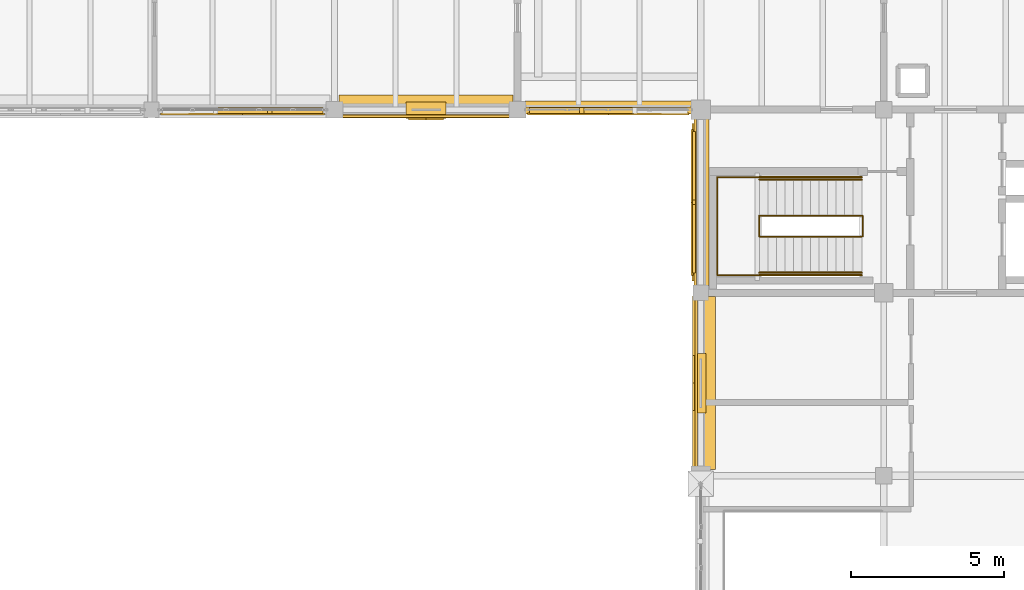
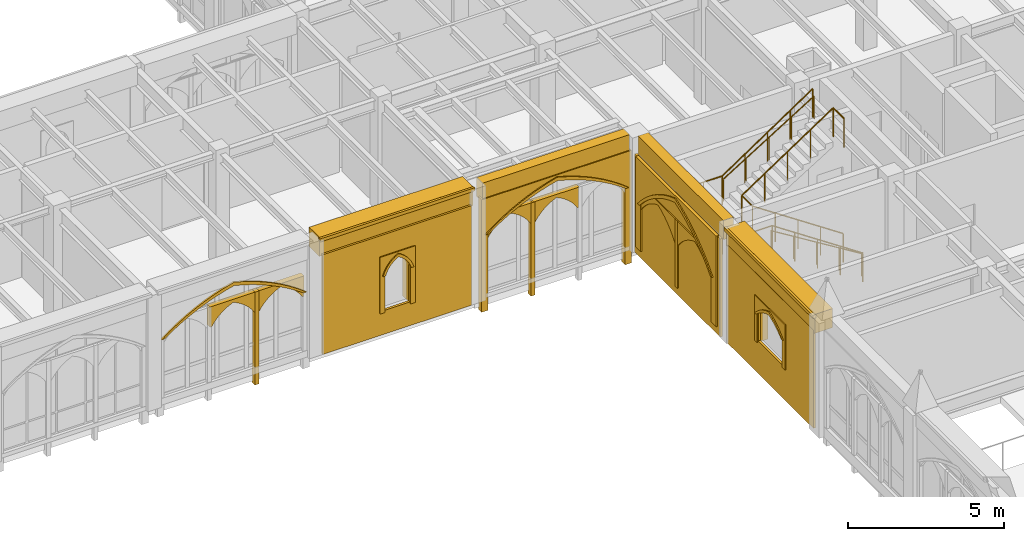
# One storey, part 122 of 143: 27 coverings, 6 railings.
"""IFC4 building model written with IfcOpenShell, lengths in metres."""

from ifc_helpers import new_model, si_unit, direction, frame, origin, origin_2d, place, context, subcontext, project, spatial, polyline, rectangle, circle, outline, extrude, material, type_object, element, save


model = new_model("IFC4")

# Units and contexts
model_context = context("Model", 3, precision=1e-05, world=origin(), true_north=direction((0.0, 1.0)))
body_context = subcontext(model_context, "Body", "Model", "MODEL_VIEW")
ifc_project = project(units=[si_unit("LENGTHUNIT", "METRE"), si_unit("AREAUNIT", "SQUARE_METRE"), si_unit("VOLUMEUNIT", "CUBIC_METRE"), si_unit("PLANEANGLEUNIT", "RADIAN"), si_unit("MASSUNIT", "GRAM", prefix="KILO")], contexts=[model_context])

# Site, building, storey
site_placement = place(None, origin())
site = spatial("IfcSite", under=ifc_project, at=site_placement, CompositionType="ELEMENT")
building_placement = place(site_placement, origin())
building = spatial("IfcBuilding", under=site, at=building_placement, Name="Cumevento Cable Car Station", CompositionType="ELEMENT")
storey_placement = place(building_placement, frame((0.0, 0.0, 9.0)))
storey = spatial("IfcBuildingStorey", under=building, at=storey_placement, Name="L03", CompositionType="ELEMENT", Elevation=9.0)

# Railings
ifc_material_1 = material(Name="Painted Galvanised Architectural Steel", Category="steel")
railing_type_1 = type_object("IfcRailingType", Name="Stair Guardrail GR-S115", PredefinedType="GUARDRAIL", material=ifc_material_1)
railing_1_placement = place(storey_placement, frame((63.280029296875, 40.840087890625, 0.0)))
element("IfcRailing", 1, at=railing_1_placement, inside=storey, type_object=railing_type_1, Name="Stair Well Inner Guardrail ST-01-L03", PredefinedType="GUARDRAIL", context=body_context, shape_type="SweptSolid", body=[
    extrude(circle(Radius=0.02392578125, at=origin_2d()), frame((0.0, 0.0, 1.1259765625), z_axis=(-0.830915400975, 0.0, 0.556398774641), x_axis=(0.0, -1.0, 0.0)), (0.0, 0.0, 1.0), 4.0439453125),
    extrude(circle(Radius=0.02392578125, at=origin_2d()), frame((-3.360107421875, 0.0, 3.3759765625), z_axis=(0.0, 1.0, 0.0), x_axis=(-1.0, 0.0, 0.0)), (0.0, 0.0, 1.0), 0.68994140625),
    extrude(circle(Radius=0.02392578125, at=origin_2d()), frame((-3.360107421875, 0.68994140625, 3.3759765625), z_axis=(0.833193183746, 0.0, 0.552982023722), x_axis=(0.0, 1.0, 0.0)), (0.0, 0.0, 1.0), 4.06884765625),
    extrude(circle(Radius=0.02392578125, at=origin_2d()), frame((0.030029296875, 0.68994140625, 5.6259765625), z_axis=(0.0, -1.0, 0.0), x_axis=(1.0, 0.0, 0.0)), (0.0, 0.0, 1.0), 0.68994140625),
    extrude(circle(Radius=0.02001953125, at=origin_2d()), origin(), (0.0, 0.0, 1.0), 1.101806640625),
    extrude(circle(Radius=0.02001953125, at=origin_2d()), frame((-0.840087890625, 0.0, 0.5625)), (0.0, 0.0, 1.0), 1.101806640625),
    extrude(circle(Radius=0.02001953125, at=origin_2d()), frame((-1.68017578125, 0.0, 1.125)), (0.0, 0.0, 1.0), 1.101806640625),
    extrude(circle(Radius=0.02001953125, at=origin_2d()), frame((-2.52001953125, 0.0, 1.6875)), (0.0, 0.0, 1.0), 1.101806640625),
    extrude(circle(Radius=0.02001953125, at=origin_2d()), frame((-3.360107421875, 0.0, 2.25)), (0.0, 0.0, 1.0), 1.101806640625),
    extrude(circle(Radius=0.02001953125, at=origin_2d()), frame((-3.360107421875, 0.68994140625, 2.25)), (0.0, 0.0, 1.0), 1.101806640625),
    extrude(circle(Radius=0.02001953125, at=origin_2d()), frame((-2.5126953125, 0.68994140625, 2.8125)), (0.0, 0.0, 1.0), 1.101806640625),
    extrude(circle(Radius=0.02001953125, at=origin_2d()), frame((-1.6650390625, 0.68994140625, 3.375)), (0.0, 0.0, 1.0), 1.101806640625),
    extrude(circle(Radius=0.02001953125, at=origin_2d()), frame((-0.8173828125, 0.68994140625, 3.9375)), (0.0, 0.0, 1.0), 1.101806640625),
    extrude(circle(Radius=0.02001953125, at=origin_2d()), frame((0.030029296875, 0.68994140625, 4.5)), (0.0, 0.0, 1.0), 1.101806640625),
    extrude(circle(Radius=0.02001953125, at=origin_2d()), frame((0.030029296875, 0.0, 4.5)), (0.0, 0.0, 1.0), 1.101806640625),
])
railing_2_placement = place(storey_placement, frame((59.919921875, 39.580078125, 2.25)))
element("IfcRailing", 2, at=railing_2_placement, inside=storey, type_object=railing_type_1, Name="Stair Half-Landing Guardrail ST-01-L03", PredefinedType="GUARDRAIL", context=body_context, shape_type="SweptSolid", body=[
    extrude(circle(Radius=0.02392578125, at=origin_2d()), frame((0.0, 0.0, 1.1259765625), z_axis=(-1.0, 0.0, 0.0), x_axis=(0.0, -1.0, 0.0)), (0.0, 0.0, 1.0), 1.3798828125),
    extrude(circle(Radius=0.02392578125, at=origin_2d()), frame((-1.3798828125, 0.0, 1.1259765625), z_axis=(0.0, 1.0, 0.0), x_axis=(-1.0, 0.0, 0.0)), (0.0, 0.0, 1.0), 3.2099609375),
    extrude(circle(Radius=0.02392578125, at=origin_2d()), frame((-1.3798828125, 3.2099609375, 1.1259765625), z_axis=(1.0, 0.0, 0.0), x_axis=(0.0, 1.0, 0.0)), (0.0, 0.0, 1.0), 1.3798828125),
    extrude(circle(Radius=0.02001953125, at=origin_2d()), origin(), (0.0, 0.0, 1.0), 1.101806640625),
    extrude(circle(Radius=0.02001953125, at=origin_2d()), frame((-0.68994140625, 0.0, 0.0)), (0.0, 0.0, 1.0), 1.101806640625),
    extrude(circle(Radius=0.02001953125, at=origin_2d()), frame((-1.3798828125, 0.0, 0.0)), (0.0, 0.0, 1.0), 1.101806640625),
    extrude(circle(Radius=0.02001953125, at=origin_2d()), frame((-1.3798828125, 0.802490234375, 0.0)), (0.0, 0.0, 1.0), 1.101806640625),
    extrude(circle(Radius=0.02001953125, at=origin_2d()), frame((-1.3798828125, 1.60498046875, 0.0)), (0.0, 0.0, 1.0), 1.101806640625),
    extrude(circle(Radius=0.02001953125, at=origin_2d()), frame((-1.3798828125, 2.407470703125, 0.0)), (0.0, 0.0, 1.0), 1.101806640625),
    extrude(circle(Radius=0.02001953125, at=origin_2d()), frame((-1.3798828125, 3.2099609375, 0.0)), (0.0, 0.0, 1.0), 1.101806640625),
    extrude(circle(Radius=0.02001953125, at=origin_2d()), frame((-0.68994140625, 3.2099609375, 0.0)), (0.0, 0.0, 1.0), 1.101806640625),
    extrude(circle(Radius=0.02001953125, at=origin_2d()), frame((0.0, 3.2099609375, 0.0)), (0.0, 0.0, 1.0), 1.101806640625),
])
railing_3_placement = place(storey_placement, frame((63.280029296875, 39.580078125, 0.0)))
element("IfcRailing", 3, at=railing_3_placement, inside=storey, type_object=railing_type_1, Name="Stair Outer Guardrail ST-01-L03 F1", PredefinedType="GUARDRAIL", context=body_context, shape_type="SweptSolid", body=[
    extrude(circle(Radius=0.02392578125, at=origin_2d()), frame((0.0, 0.0, 1.1259765625), z_axis=(-0.830915400975, 0.0, 0.556398774641), x_axis=(0.0, -1.0, 0.0)), (0.0, 0.0, 1.0), 4.0439453125),
    extrude(circle(Radius=0.02001953125, at=origin_2d()), origin(), (0.0, 0.0, 1.0), 1.101806640625),
    extrude(circle(Radius=0.02001953125, at=origin_2d()), frame((-0.840087890625, 0.0, 0.5625)), (0.0, 0.0, 1.0), 1.101806640625),
    extrude(circle(Radius=0.02001953125, at=origin_2d()), frame((-1.68017578125, 0.0, 1.125)), (0.0, 0.0, 1.0), 1.101806640625),
    extrude(circle(Radius=0.02001953125, at=origin_2d()), frame((-2.52001953125, 0.0, 1.6875)), (0.0, 0.0, 1.0), 1.101806640625),
    extrude(circle(Radius=0.02001953125, at=origin_2d()), frame((-3.360107421875, 0.0, 2.25)), (0.0, 0.0, 1.0), 1.101806640625),
])
railing_4_placement = place(storey_placement, frame((59.919921875, 42.7900390625, 2.25)))
element("IfcRailing", 4, at=railing_4_placement, inside=storey, type_object=railing_type_1, Name="Stair Outer Guardrail ST-01-L03 F2", PredefinedType="GUARDRAIL", context=body_context, shape_type="SweptSolid", body=[
    extrude(circle(Radius=0.02392578125, at=origin_2d()), frame((0.0, 0.0, 1.1259765625), z_axis=(0.830915400975, 0.0, 0.556398774641), x_axis=(0.0, 1.0, 0.0)), (0.0, 0.0, 1.0), 4.0439453125),
    extrude(circle(Radius=0.02001953125, at=origin_2d()), origin(), (0.0, 0.0, 1.0), 1.101806640625),
    extrude(circle(Radius=0.02001953125, at=origin_2d()), frame((0.840087890625, 0.0, 0.5625)), (0.0, 0.0, 1.0), 1.101806640625),
    extrude(circle(Radius=0.02001953125, at=origin_2d()), frame((1.68017578125, 0.0, 1.125)), (0.0, 0.0, 1.0), 1.101806640625),
    extrude(circle(Radius=0.02001953125, at=origin_2d()), frame((2.52001953125, 0.0, 1.6875)), (0.0, 0.0, 1.0), 1.101806640625),
    extrude(circle(Radius=0.02001953125, at=origin_2d()), frame((3.360107421875, 0.0, 2.25)), (0.0, 0.0, 1.0), 1.101806640625),
])
ifc_material_2 = material(Name="Brushed Stainless Steel Handrail Tube", Category="steel")
railing_type_2 = type_object("IfcRailingType", Name="Stair Handrail HR-090", PredefinedType="HANDRAIL", material=ifc_material_2)
railing_5_placement = place(storey_placement, frame((63.280029296875, 39.659912109375, 0.17626953125)))
element("IfcRailing", 5, at=railing_5_placement, inside=storey, type_object=railing_type_2, Name="Stair Pitch Handrail ST-01-L03 F1", PredefinedType="HANDRAIL", context=body_context, shape_type="SweptSolid", body=[
    extrude(circle(Radius=0.02099609375, at=origin_2d()), frame((0.0, 0.0, 0.87890625), z_axis=(-0.850623216509, 0.0, 0.525775754039), x_axis=(0.0, -1.0, 0.0)), (0.0, 0.0, 1.0), 3.9501953125),
    extrude(circle(Radius=0.01611328125, at=origin_2d()), origin(), (0.0, 0.0, 1.0), 0.85791015625),
    extrude(circle(Radius=0.01611328125, at=origin_2d()), frame((-0.840087890625, 0.0, 0.519287109375)), (0.0, 0.0, 1.0), 0.85791015625),
    extrude(circle(Radius=0.01611328125, at=origin_2d()), frame((-1.68017578125, 0.0, 1.03857421875)), (0.0, 0.0, 1.0), 0.85791015625),
    extrude(circle(Radius=0.01611328125, at=origin_2d()), frame((-2.52001953125, 0.0, 1.5576171875)), (0.0, 0.0, 1.0), 0.85791015625),
    extrude(circle(Radius=0.01611328125, at=origin_2d()), frame((-3.360107421875, 0.0, 2.076904296875)), (0.0, 0.0, 1.0), 0.85791015625),
])
railing_6_placement = place(storey_placement, frame((59.919921875, 42.7099609375, 2.42626953125)))
element("IfcRailing", 6, at=railing_6_placement, inside=storey, type_object=railing_type_2, Name="Stair Pitch Handrail ST-01-L03 F2", PredefinedType="HANDRAIL", context=body_context, shape_type="SweptSolid", body=[
    extrude(circle(Radius=0.02099609375, at=origin_2d()), frame((0.0, 0.0, 0.87890625), z_axis=(0.850623216509, 0.0, 0.525775754039), x_axis=(0.0, 1.0, 0.0)), (0.0, 0.0, 1.0), 3.9501953125),
    extrude(circle(Radius=0.01611328125, at=origin_2d()), origin(), (0.0, 0.0, 1.0), 0.85791015625),
    extrude(circle(Radius=0.01611328125, at=origin_2d()), frame((0.840087890625, 0.0, 0.519287109375)), (0.0, 0.0, 1.0), 0.85791015625),
    extrude(circle(Radius=0.01611328125, at=origin_2d()), frame((1.68017578125, 0.0, 1.03857421875)), (0.0, 0.0, 1.0), 0.85791015625),
    extrude(circle(Radius=0.01611328125, at=origin_2d()), frame((2.52001953125, 0.0, 1.5576171875)), (0.0, 0.0, 1.0), 0.85791015625),
    extrude(circle(Radius=0.01611328125, at=origin_2d()), frame((3.360107421875, 0.0, 2.076904296875)), (0.0, 0.0, 1.0), 0.85791015625),
])

# Coverings
ifc_material_3 = material(Name="Gnaisse Facoidal Stone Ashlar 85 MPa", Category="masonry")
covering_type = type_object("IfcCoveringType", Name="Gnaisse Ashlar Cladding CV-CL01", PredefinedType="CLADDING", material=ifc_material_3)
covering_1_placement = place(storey_placement, frame((58.14990234375, 36.03759765625, 3.7490234375), z_axis=(0.0, 0.0, 1.0), x_axis=(0.0, 1.0, 0.0)))
element("IfcCovering", 7, at=covering_1_placement, inside=storey, type_object=covering_type, Name="Gothic Stone Spandrel Stringcourse sc:0606", PredefinedType="CLADDING", context=body_context, shape_type="SweptSolid", body=[
    extrude(rectangle(XDim=5.6650390625, YDim=0.659912109375, at=origin_2d()), origin(), (0.0, 0.0, 1.0), 0.7470703125),
])
covering_2_placement = place(storey_placement, frame((57.79248046875, 36.03759765625, 4.365966796875), z_axis=(0.0, 0.0, 1.0), x_axis=(0.0, 1.0, 0.0)))
element("IfcCovering", 8, at=covering_2_placement, inside=storey, type_object=covering_type, Name="Gothic Cornice Dripstone Lip sc:0606", PredefinedType="CLADDING", context=body_context, shape_type="SweptSolid", body=[
    extrude(rectangle(XDim=5.705078125, YDim=0.114990234375, at=origin_2d()), origin(), (0.0, 0.0, 1.0), 0.1298828125),
])
covering_3_placement = place(storey_placement, frame((58.090087890625, 41.96240234375, 3.7490234375), z_axis=(0.0, 0.0, 1.0), x_axis=(0.0, 1.0, 0.0)))
element("IfcCovering", 9, at=covering_3_placement, inside=storey, type_object=covering_type, Name="Gothic Stone Spandrel Stringcourse sc:0611", PredefinedType="CLADDING", context=body_context, shape_type="SweptSolid", body=[
    extrude(rectangle(XDim=5.485107421875, YDim=0.3798828125, at=origin_2d()), origin(), (0.0, 0.0, 1.0), 0.7470703125),
])
covering_4_placement = place(storey_placement, frame((49.0, 45.14990234375, 3.80908203125), z_axis=(0.0, 0.0, 1.0), x_axis=(-1.0, 0.0, 0.0)))
element("IfcCovering", 10, at=covering_4_placement, inside=storey, type_object=covering_type, Name="Gothic Stone Spandrel Stringcourse sc:0630", PredefinedType="CLADDING", context=body_context, shape_type="SweptSolid", body=[
    extrude(rectangle(XDim=5.68994140625, YDim=0.659912109375, at=origin_2d()), origin(), (0.0, 0.0, 1.0), 0.7470703125),
])
covering_5_placement = place(storey_placement, frame((49.0, 44.79248046875, 4.426025390625), z_axis=(0.0, 0.0, 1.0), x_axis=(-1.0, 0.0, 0.0)))
element("IfcCovering", 11, at=covering_5_placement, inside=storey, type_object=covering_type, Name="Gothic Cornice Dripstone Lip sc:0630", PredefinedType="CLADDING", context=body_context, shape_type="SweptSolid", body=[
    extrude(rectangle(XDim=5.72998046875, YDim=0.114990234375, at=origin_2d()), origin(), (0.0, 0.0, 1.0), 0.1298828125),
])
covering_6_placement = place(storey_placement, frame((54.97509765625, 45.090087890625, 3.7490234375), z_axis=(0.0, 0.0, 1.0), x_axis=(-1.0, 0.0, 0.0)))
element("IfcCovering", 12, at=covering_6_placement, inside=storey, type_object=covering_type, Name="Gothic Stone Spandrel Stringcourse sc:0642", PredefinedType="CLADDING", context=body_context, shape_type="SweptSolid", body=[
    extrude(rectangle(XDim=5.4599609375, YDim=0.3798828125, at=origin_2d()), origin(), (0.0, 0.0, 1.0), 0.7470703125),
])
covering_7_placement = place(storey_placement, frame((45.72509765625, 45.0, 2.585205078125), z_axis=(0.0, 0.0, 1.0), x_axis=(-1.0, 0.0, 0.0)))
element("IfcCovering", 13, at=covering_7_placement, inside=storey, type_object=covering_type, Name="Gothic Pointed Archivolt Hood Moulding cw_ogival:0098", PredefinedType="CLADDING", context=body_context, shape_type="SweptSolid", body=[
    extrude(outline(polyline([(0.159912109375, 0.0), (0.45361328125, 0.203369140625), (0.7568359375, 0.391845703125), (1.069091796875, 0.56494140625), (1.3896484375, 0.722412109375), (1.717529296875, 0.86376953125), (2.052001953125, 0.988525390625), (2.392333984375, 1.0966796875), (2.737548828125, 1.18798828125), (3.082763671875, 1.0966796875), (3.423095703125, 0.988525390625), (3.757568359375, 0.86376953125), (4.08544921875, 0.722412109375), (4.406005859375, 0.56494140625), (4.71826171875, 0.391845703125), (5.021484375, 0.203369140625), (5.31494140625, 0.0), (5.425048828125, 0.0), (5.123046875, 0.22607421875), (4.8095703125, 0.43603515625), (4.4853515625, 0.629150390625), (4.1513671875, 0.804931640625), (3.808837890625, 0.962646484375), (3.458251953125, 1.102294921875), (3.100830078125, 1.223388671875), (2.737548828125, 1.325439453125), (2.374267578125, 1.223388671875), (2.016845703125, 1.102294921875), (1.666259765625, 0.962646484375), (1.32373046875, 0.804931640625), (0.98974609375, 0.629150390625), (0.66552734375, 0.43603515625), (0.35205078125, 0.22607421875), (0.050048828125, 0.0), (0.159912109375, 0.0)])), frame((0.0, 0.181884765625, 0.0), z_axis=(0.0, -1.0, 0.0), x_axis=(1.0, 0.0, 0.0)), (0.0, 0.0, 1.0), 0.06689453125),
])
covering_8_placement = place(storey_placement, frame((45.72509765625, 45.0, -0.419921875), z_axis=(0.0, 0.0, 1.0), x_axis=(-1.0, 0.0, 0.0)))
element("IfcCovering", 14, at=covering_8_placement, inside=storey, type_object=covering_type, Name="Gothic Bifora Stone Colonnette cw_ogival:0098 #1", PredefinedType="CLADDING", context=body_context, shape_type="SweptSolid", body=[
    extrude(outline(polyline([(1.7783203125, -0.02001953125), (1.92822265625, -0.02001953125), (1.92822265625, 3.622802734375), (1.7783203125, 3.622802734375), (1.7783203125, -0.02001953125)])), frame((0.0, 0.1279296875, 0.0), z_axis=(0.0, -1.0, 0.0), x_axis=(1.0, 0.0, 0.0)), (0.0, 0.0, 1.0), 0.205078125),
])
for number, where, z_axis, x_axis, name in (
    (15, (45.594970703125, 45.0, 2.405029296875), (0.0, 0.0, 1.0), (-1.0, 0.0, 0.0), "Gothic Ogival Pointed-Arch Stone Spandrel cw_ogival:0098:sub:0"),
    (16, (43.82666015625, 45.0, 2.405029296875), (0.0, 0.0, 1.0), (-1.0, 0.0, 0.0), "Gothic Ogival Pointed-Arch Stone Spandrel cw_ogival:0098:sub:1"),
):
    element("IfcCovering", number, at=place(storey_placement, frame(where, z_axis=z_axis, x_axis=x_axis)), inside=storey, type_object=covering_type, Name=name, PredefinedType="CLADDING", context=body_context, shape_type="SweptSolid", body=[
        extrude(outline(polyline([(-0.02001953125, 0.0), (-0.02001953125, 0.797607421875), (1.6982421875, 0.797607421875), (1.6982421875, 0.0), (1.638427734375, 0.0), (1.538330078125, 0.146728515625), (1.423095703125, 0.281982421875), (1.2939453125, 0.404052734375), (1.15234375, 0.511474609375), (1.000244140625, 0.60302734375), (0.839111328125, 0.677734375), (0.677978515625, 0.60302734375), (0.52587890625, 0.511474609375), (0.38427734375, 0.404052734375), (0.255126953125, 0.281982421875), (0.139892578125, 0.146728515625), (0.0400390625, 0.0), (-0.02001953125, 0.0)])), frame((0.0, 0.1240234375, 0.0), z_axis=(0.0, -1.0, 0.0), x_axis=(1.0, 0.0, 0.0)), (0.0, 0.0, 1.0), 0.199951171875),
    ])
placement_1 = place(storey_placement, frame((57.675048828125, 45.0, -0.52001953125), z_axis=(0.0, 0.0, 1.0), x_axis=(-1.0, 0.0, 0.0)))
element("IfcCovering", 17, at=placement_1, inside=storey, type_object=covering_type, Name="Gothic Ogival Pointed-Arch Stone Spandrel cw_ogival:0104", PredefinedType="CLADDING", context=body_context, shape_type="SweptSolid", body=[
    extrude(outline(polyline([(-0.080078125, 0.0), (-0.080078125, 4.408935546875), (5.47998046875, 4.408935546875), (5.47998046875, 0.0), (5.239990234375, 0.0), (5.239990234375, 3.015380859375), (4.95166015625, 3.219482421875), (4.653564453125, 3.40869140625), (4.34619140625, 3.582763671875), (4.030517578125, 3.740966796875), (3.70703125, 3.883056640625), (3.376953125, 4.008544921875), (3.041015625, 4.117431640625), (2.699951171875, 4.208984375), (2.35888671875, 4.117431640625), (2.02294921875, 4.008544921875), (1.69287109375, 3.883056640625), (1.369384765625, 3.740966796875), (1.0537109375, 3.582763671875), (0.746337890625, 3.40869140625), (0.4482421875, 3.219482421875), (0.159912109375, 3.015380859375), (0.159912109375, 0.0), (-0.080078125, 0.0)])), frame((0.0, 0.139892578125, 0.0), z_axis=(0.0, -1.0, 0.0), x_axis=(1.0, 0.0, 0.0)), (0.0, 0.0, 1.0), 0.219970703125),
])
covering_10_placement = place(storey_placement, frame((57.675048828125, 45.0, 2.495361328125), z_axis=(0.0, 0.0, 1.0), x_axis=(-1.0, 0.0, 0.0)))
element("IfcCovering", 18, at=covering_10_placement, inside=storey, type_object=covering_type, Name="Gothic Pointed Archivolt Hood Moulding cw_ogival:0104", PredefinedType="CLADDING", context=body_context, shape_type="SweptSolid", body=[
    extrude(outline(polyline([(0.159912109375, 0.0), (0.4482421875, 0.2041015625), (0.746337890625, 0.393310546875), (1.0537109375, 0.5673828125), (1.369384765625, 0.7255859375), (1.69287109375, 0.86767578125), (2.02294921875, 0.9931640625), (2.35888671875, 1.10205078125), (2.699951171875, 1.193603515625), (3.041015625, 1.10205078125), (3.376953125, 0.9931640625), (3.70703125, 0.86767578125), (4.030517578125, 0.7255859375), (4.34619140625, 0.5673828125), (4.653564453125, 0.393310546875), (4.95166015625, 0.2041015625), (5.239990234375, 0.0), (5.35009765625, 0.0), (5.05322265625, 0.226806640625), (4.744873046875, 0.4375), (4.425537109375, 0.63134765625), (4.096435546875, 0.807861328125), (3.75830078125, 0.966552734375), (3.412109375, 1.10693359375), (3.05908203125, 1.228515625), (2.699951171875, 1.3310546875), (2.3408203125, 1.228515625), (1.98779296875, 1.10693359375), (1.6416015625, 0.966552734375), (1.303466796875, 0.807861328125), (0.974365234375, 0.63134765625), (0.655029296875, 0.4375), (0.3466796875, 0.226806640625), (0.050048828125, 0.0), (0.159912109375, 0.0)])), frame((0.0, 0.181884765625, 0.0), z_axis=(0.0, -1.0, 0.0), x_axis=(1.0, 0.0, 0.0)), (0.0, 0.0, 1.0), 0.06689453125),
])
element("IfcCovering", 19, at=placement_1, inside=storey, type_object=covering_type, Name="Gothic Bifora Stone Colonnette cw_ogival:0104 #2", PredefinedType="CLADDING", context=body_context, shape_type="SweptSolid", body=[
    extrude(outline(polyline([(3.49658203125, -0.02001953125), (3.646728515625, -0.02001953125), (3.646728515625, 3.635986328125), (3.49658203125, 3.635986328125), (3.49658203125, -0.02001953125)])), frame((0.0, 0.1279296875, 0.0), z_axis=(0.0, -1.0, 0.0), x_axis=(1.0, 0.0, 0.0)), (0.0, 0.0, 1.0), 0.205078125),
])
for number, where, z_axis, x_axis, name in (
    (20, (55.8017578125, 45.0, 2.3154296875), (0.0, 0.0, 1.0), (-1.0, 0.0, 0.0), "Gothic Ogival Pointed-Arch Stone Spandrel cw_ogival:0104:sub:1"),
    (21, (54.058349609375, 45.0, 2.3154296875), (0.0, 0.0, 1.0), (-1.0, 0.0, 0.0), "Gothic Ogival Pointed-Arch Stone Spandrel cw_ogival:0104:sub:2"),
):
    element("IfcCovering", number, at=place(storey_placement, frame(where, z_axis=z_axis, x_axis=x_axis)), inside=storey, type_object=covering_type, Name=name, PredefinedType="CLADDING", context=body_context, shape_type="SweptSolid", body=[
        extrude(outline(polyline([(-0.02001953125, 0.0), (-0.02001953125, 0.80078125), (1.67333984375, 0.80078125), (1.67333984375, 0.0), (1.61328125, 0.0), (1.51611328125, 0.147216796875), (1.4033203125, 0.282958984375), (1.2763671875, 0.405517578125), (1.13671875, 0.513427734375), (0.986328125, 0.60546875), (0.82666015625, 0.6806640625), (0.6669921875, 0.60546875), (0.5166015625, 0.513427734375), (0.376953125, 0.405517578125), (0.25, 0.282958984375), (0.13720703125, 0.147216796875), (0.0400390625, 0.0), (-0.02001953125, 0.0)])), frame((0.0, 0.1240234375, 0.0), z_axis=(0.0, -1.0, 0.0), x_axis=(1.0, 0.0, 0.0)), (0.0, 0.0, 1.0), 0.199951171875),
    ])
covering_12_placement = place(storey_placement, frame((58.0, 33.324951171875, 0.0), z_axis=(0.0, 0.0, 1.0), x_axis=(0.0, 1.0, 0.0)))
element("IfcCovering", 22, at=covering_12_placement, inside=storey, type_object=covering_type, Name="Exterior Gnaisse Stone Wall Ashlar #232", PredefinedType="CLADDING", context=body_context, shape_type="SweptSolid", body=[
    extrude(outline(polyline([(-0.0400390625, -0.02001953125), (5.465087890625, -0.02001953125), (5.465087890625, 3.8291015625), (-0.0400390625, 3.8291015625), (-0.0400390625, -0.02001953125)]), holes=[polyline([(1.922607421875, 1.260009765625), (3.50244140625, 1.260009765625), (3.50244140625, 2.739990234375), (1.922607421875, 2.739990234375), (1.922607421875, 1.260009765625)])]), frame((0.0, 0.18505859375, 0.0), z_axis=(0.0, -1.0, 0.0), x_axis=(1.0, 0.0, 0.0)), (0.0, 0.0, 1.0), 0.0849609375),
])
covering_13_placement = place(storey_placement, frame((58.0, 35.097412109375, 1.199951171875), z_axis=(0.0, 0.0, 1.0), x_axis=(0.0, 1.0, 0.0)))
element("IfcCovering", 23, at=covering_13_placement, inside=storey, type_object=covering_type, Name="Gothic Ogival Pointed-Arch Stone Spandrel op_ogival:0232:1", PredefinedType="CLADDING", context=body_context, shape_type="SweptSolid", body=[
    extrude(outline(polyline([(-0.0400390625, 0.0), (-0.0400390625, 1.77001953125), (1.919921875, 1.77001953125), (1.919921875, 0.0), (1.739990234375, 0.0), (1.739990234375, 1.1298828125), (1.640380859375, 1.218505859375), (1.535400390625, 1.2998046875), (1.4248046875, 1.3740234375), (1.309326171875, 1.440185546875), (1.189697265625, 1.498779296875), (1.06640625, 1.548583984375), (0.93994140625, 1.590087890625), (0.8134765625, 1.548583984375), (0.690185546875, 1.498779296875), (0.570556640625, 1.440185546875), (0.455078125, 1.3740234375), (0.344482421875, 1.2998046875), (0.239501953125, 1.218505859375), (0.139892578125, 1.1298828125), (0.139892578125, 0.0), (-0.0400390625, 0.0)])), frame((0.0, 0.222900390625, 0.0), z_axis=(0.0, -1.0, 0.0), x_axis=(1.0, 0.0, 0.0)), (0.0, 0.0, 1.0), 0.39990234375),
])
covering_14_placement = place(storey_placement, frame((58.0, 35.097412109375, 2.330078125), z_axis=(0.0, 0.0, 1.0), x_axis=(0.0, 1.0, 0.0)))
element("IfcCovering", 24, at=covering_14_placement, inside=storey, type_object=covering_type, Name="Gothic Pointed Archivolt Hood Moulding op_ogival:0232:1", PredefinedType="CLADDING", context=body_context, shape_type="SweptSolid", body=[
    extrude(outline(polyline([(0.139892578125, 0.0), (0.239501953125, 0.088623046875), (0.344482421875, 0.169921875), (0.455078125, 0.244140625), (0.570556640625, 0.310302734375), (0.690185546875, 0.36865234375), (0.8134765625, 0.418701171875), (0.93994140625, 0.4599609375), (1.06640625, 0.418701171875), (1.189697265625, 0.36865234375), (1.309326171875, 0.310302734375), (1.4248046875, 0.244140625), (1.535400390625, 0.169921875), (1.640380859375, 0.088623046875), (1.739990234375, 0.0), (1.839111328125, 0.0), (1.731201171875, 0.111328125), (1.615478515625, 0.21435546875), (1.492431640625, 0.308349609375), (1.362548828125, 0.392822265625), (1.2265625, 0.467041015625), (1.08544921875, 0.53076171875), (0.93994140625, 0.583740234375), (0.79443359375, 0.53076171875), (0.6533203125, 0.467041015625), (0.517333984375, 0.392822265625), (0.387451171875, 0.308349609375), (0.264404296875, 0.21435546875), (0.148681640625, 0.111328125), (0.041015625, 0.0), (0.139892578125, 0.0)])), frame((0.0, 0.264892578125, 0.0), z_axis=(0.0, -1.0, 0.0), x_axis=(1.0, 0.0, 0.0)), (0.0, 0.0, 1.0), 0.06689453125),
])
covering_15_placement = place(storey_placement, frame((58.0, 39.25, 0.0), z_axis=(0.0, 0.0, 1.0), x_axis=(0.0, 1.0, 0.0)))
element("IfcCovering", 25, at=covering_15_placement, inside=storey, type_object=covering_type, Name="Exterior Gnaisse Stone Wall Ashlar #233", PredefinedType="CLADDING", context=body_context, shape_type="SweptSolid", body=[
    extrude(outline(polyline([(-0.0400390625, -0.02001953125), (5.465087890625, -0.02001953125), (5.465087890625, 3.8291015625), (-0.0400390625, 3.8291015625), (-0.0400390625, -0.02001953125)])), frame((0.0, 0.222412109375, 0.0), z_axis=(0.0, -1.0, 0.0), x_axis=(1.0, 0.0, 0.0)), (0.0, 0.0, 1.0), 0.0849609375),
])
placement_2 = place(storey_placement, frame((58.0, 39.429931640625, 0.300048828125), z_axis=(0.0, 0.0, 1.0), x_axis=(0.0, 1.0, 0.0)))
element("IfcCovering", 26, at=placement_2, inside=storey, type_object=covering_type, Name="Gothic Ogival Pointed-Arch Stone Spandrel blind_ogival:0233", PredefinedType="CLADDING", context=body_context, shape_type="SweptSolid", body=[
    extrude(outline(polyline([(-0.050048828125, 0.0), (-0.050048828125, 3.549072265625), (5.114990234375, 3.549072265625), (5.114990234375, 0.0), (4.804931640625, 0.0), (4.804931640625, 1.8330078125), (4.5341796875, 2.118408203125), (4.24267578125, 2.382080078125), (3.931640625, 2.622802734375), (3.60302734375, 2.839111328125), (3.259033203125, 3.029541015625), (2.901611328125, 3.193115234375), (2.532470703125, 3.3291015625), (2.163330078125, 3.193115234375), (1.805908203125, 3.029541015625), (1.4619140625, 2.839111328125), (1.13330078125, 2.622802734375), (0.822265625, 2.382080078125), (0.53076171875, 2.118408203125), (0.260009765625, 1.8330078125), (0.260009765625, 0.0), (-0.050048828125, 0.0)])), frame((0.0, 0.277587890625, 0.0), z_axis=(0.0, -1.0, 0.0), x_axis=(1.0, 0.0, 0.0)), (0.0, 0.0, 1.0), 0.110107421875),
])
covering_17_placement = place(storey_placement, frame((58.0, 39.429931640625, 2.133056640625), z_axis=(0.0, 0.0, 1.0), x_axis=(0.0, 1.0, 0.0)))
element("IfcCovering", 27, at=covering_17_placement, inside=storey, type_object=covering_type, Name="Gothic Pointed Archivolt Hood Moulding blind_ogival:0233", PredefinedType="CLADDING", context=body_context, shape_type="SweptSolid", body=[
    extrude(outline(polyline([(0.260009765625, 0.0), (0.53076171875, 0.285400390625), (0.822265625, 0.549072265625), (1.13330078125, 0.789794921875), (1.4619140625, 1.006103515625), (1.805908203125, 1.196533203125), (2.163330078125, 1.360107421875), (2.532470703125, 1.49609375), (2.901611328125, 1.360107421875), (3.259033203125, 1.196533203125), (3.60302734375, 1.006103515625), (3.931640625, 0.789794921875), (4.24267578125, 0.549072265625), (4.5341796875, 0.285400390625), (4.804931640625, 0.0), (4.926025390625, 0.0), (4.6455078125, 0.313232421875), (4.34130859375, 0.60302734375), (4.014892578125, 0.867919921875), (3.668701171875, 1.1064453125), (3.3046875, 1.31640625), (2.925048828125, 1.4970703125), (2.532470703125, 1.647216796875), (2.139892578125, 1.4970703125), (1.76025390625, 1.31640625), (1.396240234375, 1.1064453125), (1.050048828125, 0.867919921875), (0.7236328125, 0.60302734375), (0.41943359375, 0.313232421875), (0.138916015625, 0.0), (0.260009765625, 0.0)])), frame((0.0, 0.319580078125, 0.0), z_axis=(0.0, -1.0, 0.0), x_axis=(1.0, 0.0, 0.0)), (0.0, 0.0, 1.0), 0.06689453125),
])
element("IfcCovering", 28, at=placement_2, inside=storey, type_object=covering_type, Name="Gothic Bifora Stone Colonnette blind_ogival:0233 #1", PredefinedType="CLADDING", context=body_context, shape_type="SweptSolid", body=[
    extrude(outline(polyline([(2.45751953125, -0.02001953125), (2.607421875, -0.02001953125), (2.607421875, 2.61083984375), (2.45751953125, 2.61083984375), (2.45751953125, -0.02001953125)])), frame((0.0, 0.265380859375, 0.0), z_axis=(0.0, -1.0, 0.0), x_axis=(1.0, 0.0, 0.0)), (0.0, 0.0, 1.0), 0.094970703125),
])
for number, where, z_axis, x_axis, name in (
    (29, (58.0, 39.659912109375, 1.952880859375), (0.0, 0.0, 1.0), (0.0, 1.0, 0.0), "Gothic Ogival Pointed-Arch Stone Spandrel blind_ogival:0233:sub:0"),
    (30, (58.0, 42.007568359375, 1.952880859375), (0.0, 0.0, 1.0), (0.0, 1.0, 0.0), "Gothic Ogival Pointed-Arch Stone Spandrel blind_ogival:0233:sub:1"),
):
    element("IfcCovering", number, at=place(storey_placement, frame(where, z_axis=z_axis, x_axis=x_axis)), inside=storey, type_object=covering_type, Name=name, PredefinedType="CLADDING", context=body_context, shape_type="SweptSolid", body=[
        extrude(outline(polyline([(-0.02001953125, 0.0), (-0.02001953125, 0.9580078125), (2.277587890625, 0.9580078125), (2.277587890625, 0.0), (2.217529296875, 0.0), (2.074462890625, 0.18310546875), (1.91357421875, 0.350830078125), (1.73681640625, 0.501708984375), (1.5458984375, 0.634033203125), (1.342529296875, 0.746337890625), (1.128662109375, 0.837890625), (0.9150390625, 0.746337890625), (0.711669921875, 0.634033203125), (0.520751953125, 0.501708984375), (0.343994140625, 0.350830078125), (0.18310546875, 0.18310546875), (0.0400390625, 0.0), (-0.02001953125, 0.0)])), frame((0.0, 0.261474609375, 0.0), z_axis=(0.0, -1.0, 0.0), x_axis=(1.0, 0.0, 0.0)), (0.0, 0.0, 1.0), 0.090087890625),
    ])
covering_19_placement = place(storey_placement, frame((51.72509765625, 45.0, 0.0), z_axis=(0.0, 0.0, 1.0), x_axis=(-1.0, 0.0, 0.0)))
element("IfcCovering", 31, at=covering_19_placement, inside=storey, type_object=covering_type, Name="Exterior Gnaisse Stone Wall Ashlar #242", PredefinedType="CLADDING", context=body_context, shape_type="SweptSolid", body=[
    extrude(outline(polyline([(-0.0400390625, -0.02001953125), (5.489990234375, -0.02001953125), (5.489990234375, 3.888916015625), (-0.0400390625, 3.888916015625), (-0.0400390625, -0.02001953125)]), holes=[polyline([(2.260009765625, 0.909912109375), (3.18994140625, 0.909912109375), (3.18994140625, 2.840087890625), (2.260009765625, 2.840087890625), (2.260009765625, 0.909912109375)])]), frame((0.0, 0.25244140625, 0.0), z_axis=(0.0, -1.0, 0.0), x_axis=(1.0, 0.0, 0.0)), (0.0, 0.0, 1.0), 0.0849609375),
])
covering_20_placement = place(storey_placement, frame((49.614990234375, 45.0, 0.85009765625), z_axis=(0.0, 0.0, 1.0), x_axis=(-1.0, 0.0, 0.0)))
element("IfcCovering", 32, at=covering_20_placement, inside=storey, type_object=covering_type, Name="Gothic Ogival Pointed-Arch Stone Spandrel op_ogival:0242:1", PredefinedType="CLADDING", context=body_context, shape_type="SweptSolid", body=[
    extrude(outline(polyline([(-0.0400390625, 0.0), (-0.0400390625, 2.219970703125), (1.27001953125, 2.219970703125), (1.27001953125, 0.0), (1.090087890625, 0.0), (1.090087890625, 1.4541015625), (1.053955078125, 1.55859375), (1.006103515625, 1.65869140625), (0.947021484375, 1.752197265625), (0.877197265625, 1.83837890625), (0.7978515625, 1.915771484375), (0.7099609375, 1.983154296875), (0.614990234375, 2.039794921875), (0.52001953125, 1.983154296875), (0.43212890625, 1.915771484375), (0.352783203125, 1.83837890625), (0.282958984375, 1.752197265625), (0.223876953125, 1.65869140625), (0.176025390625, 1.55859375), (0.139892578125, 1.4541015625), (0.139892578125, 0.0), (-0.0400390625, 0.0)])), frame((0.0, 0.29052734375, 0.0), z_axis=(0.0, -1.0, 0.0), x_axis=(1.0, 0.0, 0.0)), (0.0, 0.0, 1.0), 0.534912109375),
])
covering_21_placement = place(storey_placement, frame((49.614990234375, 45.0, 2.303955078125), z_axis=(0.0, 0.0, 1.0), x_axis=(-1.0, 0.0, 0.0)))
element("IfcCovering", 33, at=covering_21_placement, inside=storey, type_object=covering_type, Name="Gothic Pointed Archivolt Hood Moulding op_ogival:0242:1", PredefinedType="CLADDING", context=body_context, shape_type="SweptSolid", body=[
    extrude(outline(polyline([(0.139892578125, 0.0), (0.176025390625, 0.104736328125), (0.223876953125, 0.20458984375), (0.282958984375, 0.29833984375), (0.352783203125, 0.38427734375), (0.43212890625, 0.461669921875), (0.52001953125, 0.529052734375), (0.614990234375, 0.5859375), (0.7099609375, 0.529052734375), (0.7978515625, 0.461669921875), (0.877197265625, 0.38427734375), (0.947021484375, 0.29833984375), (1.006103515625, 0.20458984375), (1.053955078125, 0.104736328125), (1.090087890625, 0.0), (1.18896484375, 0.0), (1.145751953125, 0.126953125), (1.087890625, 0.247802734375), (1.016357421875, 0.361083984375), (0.93212890625, 0.46533203125), (0.836181640625, 0.55908203125), (0.72998046875, 0.640869140625), (0.614990234375, 0.709716796875), (0.5, 0.640869140625), (0.393798828125, 0.55908203125), (0.2978515625, 0.46533203125), (0.213623046875, 0.361083984375), (0.14208984375, 0.247802734375), (0.084228515625, 0.126953125), (0.041015625, 0.0), (0.139892578125, 0.0)])), frame((0.0, 0.33251953125, 0.0), z_axis=(0.0, -1.0, 0.0), x_axis=(1.0, 0.0, 0.0)), (0.0, 0.0, 1.0), 0.06689453125),
])

save(model, "model.ifc")
